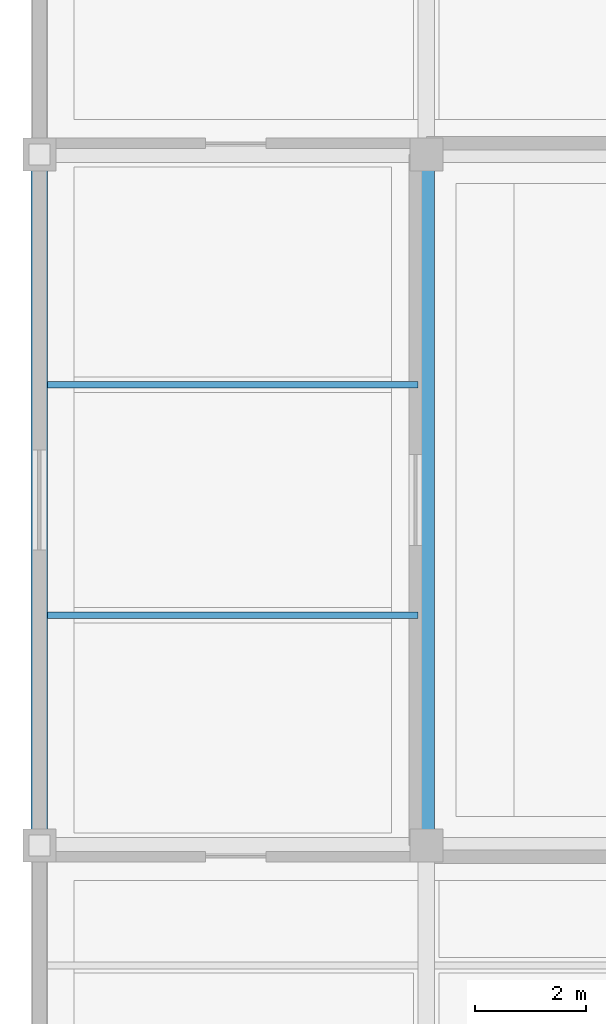
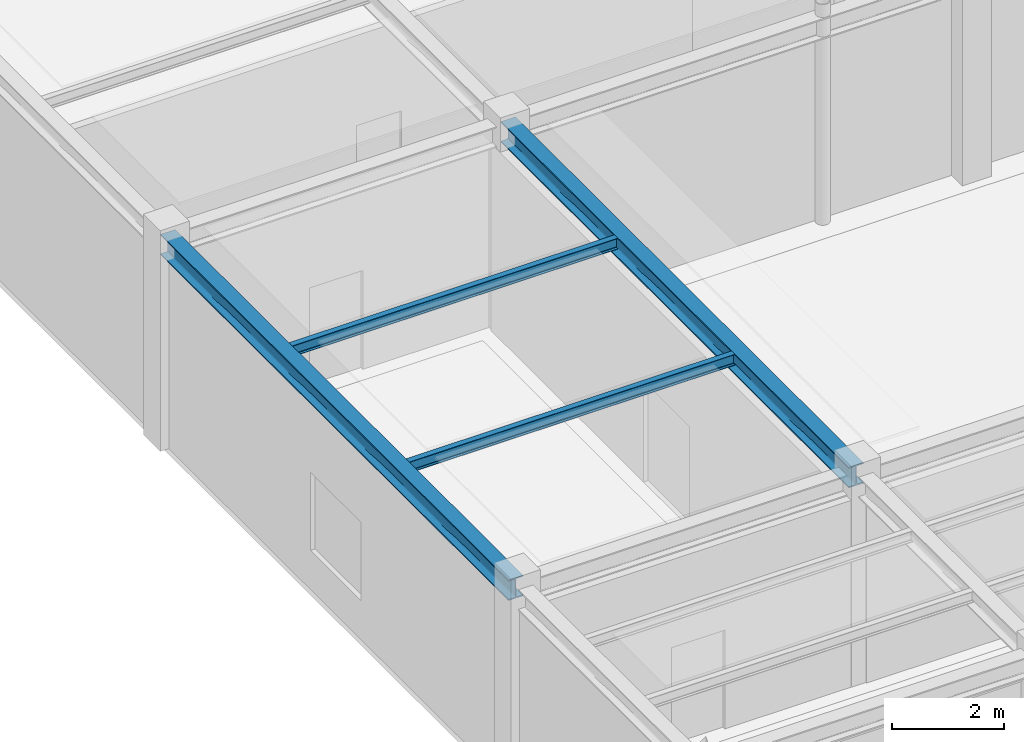
# One storey, part 21 of 108: 4 beams.
"""IFC4 building model written with IfcOpenShell, lengths in metres."""

import ifcopenshell
import ifcopenshell.guid

model = None  # the IFC model being written
_history = None  # IfcOwnerHistory: only IFC2X3 demands one
_inside = {}  # id of a spatial element -> (the spatial element, [elements in it])
_under = {}  # id of a project, library or spatial element -> (it, [spatial elements below it])
_declared = {}  # id of a project -> (the project, [libraries it declares])
_typed = {}  # id of a type object -> (the type object, [elements of that type])
_made_of = {}  # id of a material, layer set ... -> (it, [elements and type objects made of it])


def new_model(schema):
    """Start an empty IFC model of exactly this schema.

    Asked for "IFC4X3", IfcOpenShell would pick the latest addendum, in which some entities
    have other attributes; the version numbers below select the first issue.
    IFC2X3 requires an IfcOwnerHistory on every rooted entity: one is made here for all.
    """
    global model, _history
    if schema == "IFC4X3":
        model = ifcopenshell.file(schema_version=(4, 3, 0, 0))
    else:
        model = ifcopenshell.file(schema=schema)
    _inside.clear()
    _under.clear()
    _declared.clear()
    _typed.clear()
    _made_of.clear()
    _history = None
    if model.schema == "IFC2X3":
        org = make("IfcOrganization", Name="unknown")
        user = make(
            "IfcPersonAndOrganization",
            ThePerson=make("IfcPerson", FamilyName="unknown"),
            TheOrganization=org,
        )
        app = make(
            "IfcApplication",
            ApplicationDeveloper=org,
            Version="unknown",
            ApplicationFullName="unknown",
            ApplicationIdentifier="unknown",
        )
        _history = make(
            "IfcOwnerHistory",
            OwningUser=user,
            OwningApplication=app,
            ChangeAction="ADDED",
            CreationDate=0,
        )
    return model


def make(cls, **values):
    """One entity of the class cls with the attributes given. An attribute that is None is left unset."""
    return model.create_entity(
        cls, **{name: value for name, value in values.items() if value is not None}
    )


def rooted(cls, **values):
    """An entity with a GlobalId (a new one), such as an element, a storey or a relation."""
    return make(cls, GlobalId=ifcopenshell.guid.new(), OwnerHistory=_history, **values)


def si_unit(unit_type, name, prefix=None):
    """IfcSIUnit, for example si_unit("LENGTHUNIT", "METRE", prefix="MILLI")."""
    return make("IfcSIUnit", UnitType=unit_type, Prefix=prefix, Name=name)


def assignment(units):
    """IfcUnitAssignment: the units of a project."""
    return None if units is None else make("IfcUnitAssignment", Units=units)


def point(xyz):
    """IfcCartesianPoint."""
    return None if xyz is None else make("IfcCartesianPoint", Coordinates=xyz)


def direction(xyz):
    """IfcDirection."""
    return None if xyz is None else make("IfcDirection", DirectionRatios=xyz)


def frame(location, z_axis=None, x_axis=None):
    """IfcAxis2Placement3D, a coordinate frame: its origin and axes. An axis left out is left unset."""
    return make(
        "IfcAxis2Placement3D",
        Location=point(location),
        Axis=direction(z_axis),
        RefDirection=direction(x_axis),
    )


def frame_2d(location, x_axis=None):
    """IfcAxis2Placement2D, a coordinate frame in the plane: its origin and x axis."""
    return make(
        "IfcAxis2Placement2D", Location=point(location), RefDirection=direction(x_axis)
    )


def origin():
    """The frame at (0, 0, 0) with its axes left unset."""
    return frame((0.0, 0.0, 0.0))


def origin_2d():
    """The frame at (0, 0) in the plane with its x axis left unset."""
    return frame_2d((0.0, 0.0))


def place(relative_to, where):
    """IfcLocalPlacement: puts the frame where relative to a parent placement (None: the world)."""
    return make(
        "IfcLocalPlacement", PlacementRelTo=relative_to, RelativePlacement=where
    )


def context(
    kind, dimensions, precision=None, world=None, true_north=None, identifier=None
):
    """IfcGeometricRepresentationContext, for example the 3D "Model" context."""
    return make(
        "IfcGeometricRepresentationContext",
        ContextIdentifier=identifier,
        ContextType=kind,
        CoordinateSpaceDimension=dimensions,
        Precision=precision,
        WorldCoordinateSystem=world,
        TrueNorth=true_north,
    )


def subcontext(parent, identifier, kind, view, scale=None):
    """IfcGeometricRepresentationSubContext, for example "Body" below "Model"."""
    return make(
        "IfcGeometricRepresentationSubContext",
        ContextIdentifier=identifier,
        ContextType=kind,
        ParentContext=parent,
        TargetScale=scale,
        TargetView=view,
    )


def project(units=None, contexts=None):
    """IfcProject with its units and contexts."""
    return rooted(
        "IfcProject",
        Name="project",
        RepresentationContexts=contexts,
        UnitsInContext=assignment(units),
    )


def spatial(cls, under=None, at=None, **own):
    """A site, building, storey or space (cls), placed at a placement, below another one or the project."""
    s = rooted(cls, ObjectPlacement=at, **own)
    if under is not None:
        _under.setdefault(under.id(), (under, []))[1].append(s)
    return s


def profile(cls, at=None, kind="AREA", **sizes):
    """A parametric profile (cls). Its sizes go by their IFC names, for example OverallWidth=200.0."""
    return make(cls, ProfileType=kind, Position=at, **sizes)


def i_section(**sizes):
    """IfcIShapeProfileDef."""
    return profile("IfcIShapeProfileDef", **sizes)


def extrude(swept, where, along, depth):
    """IfcExtrudedAreaSolid: the profile swept, set in the frame where, extruded along a direction by depth."""
    return make(
        "IfcExtrudedAreaSolid",
        SweptArea=swept,
        Position=where,
        ExtrudedDirection=direction(along),
        Depth=depth,
    )


def shape(context_of_items, identifier, shape_type, items):
    """IfcShapeRepresentation: the items that make up one representation, for example the "Body"."""
    return make(
        "IfcShapeRepresentation",
        ContextOfItems=context_of_items,
        RepresentationIdentifier=identifier,
        RepresentationType=shape_type,
        Items=items,
    )


def material(Name=None, Category=None):
    """IfcMaterial."""
    return make("IfcMaterial", Name=Name, Category=Category)


def material_profile(
    of_material, cross_section, Name=None, Category=None, Priority=None
):
    """IfcMaterialProfile: a cross section and its material."""
    return make(
        "IfcMaterialProfile",
        Name=Name,
        Material=of_material,
        Profile=cross_section,
        Priority=Priority,
        Category=Category,
    )


def profile_set(profiles, Name=None, composite=None):
    """IfcMaterialProfileSet."""
    return make(
        "IfcMaterialProfileSet",
        Name=Name,
        MaterialProfiles=profiles,
        CompositeProfile=composite,
    )


def made_of(thing, what):
    """Note that an element or type object is made of a material, layer set ...; save() writes the relation."""
    if what is not None:
        _made_of.setdefault(what.id(), (what, []))[1].append(thing)
    return thing


def type_object(cls, material=None, **own):
    """A type object (cls), such as IfcWallType, which elements share."""
    return made_of(rooted(cls, **own), material)


def element(
    cls,
    number,
    at=None,
    inside=None,
    cuts=None,
    type_object=None,
    material=None,
    context=None,
    identifier="Body",
    shape_type=None,
    held_by="IfcProductDefinitionShape",
    body=None,
    shapes=None,
    **own,
):
    """One element of the class cls, such as IfcWall. Its Tag is "e" and its number.

    at: its placement. inside: the storey or other place that contains it. cuts: it is an
    opening in that element (IfcRelVoidsElement). A single representation is given by context,
    identifier, shape_type and body (its items); several are given by shapes. held_by: the class
    of the entity that holds the representations. save() writes the other relations.
    """
    e = rooted(cls, Tag="e%d" % number, ObjectPlacement=at, **own)
    if body is not None:
        shapes = [shape(context, identifier, shape_type, body)]
    if shapes is not None:
        e.Representation = make(held_by, Representations=shapes)
    if inside is not None:
        _inside.setdefault(inside.id(), (inside, []))[1].append(e)
    if cuts is not None:
        rooted(
            "IfcRelVoidsElement", RelatingBuildingElement=cuts, RelatedOpeningElement=e
        )
    if type_object is not None:
        _typed.setdefault(type_object.id(), (type_object, []))[1].append(e)
    return made_of(e, material)


def aggregate(whole, parts):
    """IfcRelAggregates: a whole, such as a stair, and the parts it consists of."""
    return rooted("IfcRelAggregates", RelatingObject=whole, RelatedObjects=parts)


def save(model, path):
    """Write the relations noted so far, then the file.

    IfcRelAggregates (storeys below a building ...), IfcRelContainedInSpatialStructure (elements
    in a storey), IfcRelDefinesByType, IfcRelAssociatesMaterial and IfcRelDeclares: one each for
    every whole, place, type object, material and project.
    """
    for whole, parts in _under.values():
        aggregate(whole, parts)
    for where, things in _inside.values():
        rooted(
            "IfcRelContainedInSpatialStructure",
            RelatedElements=things,
            RelatingStructure=where,
        )
    for kind, things in _typed.values():
        rooted("IfcRelDefinesByType", RelatedObjects=things, RelatingType=kind)
    for what, things in _made_of.values():
        rooted("IfcRelAssociatesMaterial", RelatedObjects=things, RelatingMaterial=what)
    for by, libraries in _declared.values():
        rooted("IfcRelDeclares", RelatingContext=by, RelatedDefinitions=libraries)
    model.write(path)


model = new_model("IFC4")

# Units and contexts
model_context = context("Model", 3, precision=1e-05, world=origin(), true_north=direction((0.0, 1.0)))
body_context = subcontext(model_context, "Body", "Model", "MODEL_VIEW")
ifc_project = project(units=[si_unit("LENGTHUNIT", "METRE"), si_unit("AREAUNIT", "SQUARE_METRE"), si_unit("VOLUMEUNIT", "CUBIC_METRE"), si_unit("PLANEANGLEUNIT", "RADIAN"), si_unit("MASSUNIT", "GRAM", prefix="KILO")], contexts=[model_context])

# Site, building, storey
site_placement = place(None, origin())
site = spatial("IfcSite", under=ifc_project, at=site_placement, CompositionType="ELEMENT")
building_placement = place(site_placement, origin())
building = spatial("IfcBuilding", under=site, at=building_placement, Name="Tarnveldt Headland Concert Hall", CompositionType="ELEMENT")
storey_placement = place(building_placement, origin())
storey = spatial("IfcBuildingStorey", under=building, at=storey_placement, Name="L00", CompositionType="ELEMENT", Elevation=0.0)

# Beams
ifc_material = material(Name="Steel S355", Category="steel")
ifc_material_profile_1 = material_profile(ifc_material, i_section(OverallWidth=0.300048828125, OverallDepth=0.449951171875, WebThickness=0.013916015625, FlangeThickness=0.02587890625, FilletRadius=0.027099609375, at=origin_2d()), Name="HEB450", Category="steel")
ifc_profile_set_1 = profile_set([ifc_material_profile_1], Name="Steel S355")
beam_type_1 = type_object("IfcBeamType", Name="SB-HEB450", PredefinedType="BEAM", material=ifc_profile_set_1)
for number, where, z_axis, x_axis, name in (
    (1, (7.5, 11.550048828125, 4.294921875), (0.0, 1.0, 0.0), (-1.0, 0.0, 0.0), "Framing beam L00-572"),
    (2, (14.5, 11.550048828125, 4.294921875), (0.0, 1.0, 0.0), (-1.0, 0.0, 0.0), "Framing beam L00-581"),
):
    element("IfcBeam", number, at=place(storey_placement, frame(where, z_axis=z_axis, x_axis=x_axis)), inside=storey, type_object=beam_type_1, Name=name, PredefinedType="BEAM", context=body_context, shape_type="SweptSolid", body=[
        extrude(i_section(OverallWidth=0.300048828125, OverallDepth=0.449951171875, WebThickness=0.013916015625, FlangeThickness=0.02587890625, FilletRadius=0.027099609375, at=origin_2d()), origin(), (0.0, 0.0, 1.0), 12.39990234375),
    ])
ifc_material_profile_2 = material_profile(ifc_material, i_section(OverallWidth=0.1201171875, OverallDepth=0.239990234375, WebThickness=0.006103515625, FlangeThickness=0.009765625, FilletRadius=0.014892578125, at=origin_2d()), Name="IPE240", Category="steel")
ifc_profile_set_2 = profile_set([ifc_material_profile_2], Name="Steel S355")
beam_type_2 = type_object("IfcBeamType", Name="SB-IPE240", PredefinedType="JOIST", material=ifc_profile_set_2)
for number, where, z_axis, x_axis, name in (
    (3, (7.64990234375, 15.6669921875, 4.39990234375), (1.0, 0.0, 0.0), (0.0, 1.0, 0.0), "Framing beam L00-573"),
    (4, (7.64990234375, 19.8330078125, 4.39990234375), (1.0, 0.0, 0.0), (0.0, 1.0, 0.0), "Framing beam L00-574"),
):
    element("IfcBeam", number, at=place(storey_placement, frame(where, z_axis=z_axis, x_axis=x_axis)), inside=storey, type_object=beam_type_2, Name=name, PredefinedType="JOIST", context=body_context, shape_type="SweptSolid", body=[
        extrude(i_section(OverallWidth=0.1201171875, OverallDepth=0.239990234375, WebThickness=0.006103515625, FlangeThickness=0.009765625, FilletRadius=0.014892578125, at=origin_2d()), origin(), (0.0, 0.0, 1.0), 6.7001953125),
    ])

save(model, "model.ifc")
